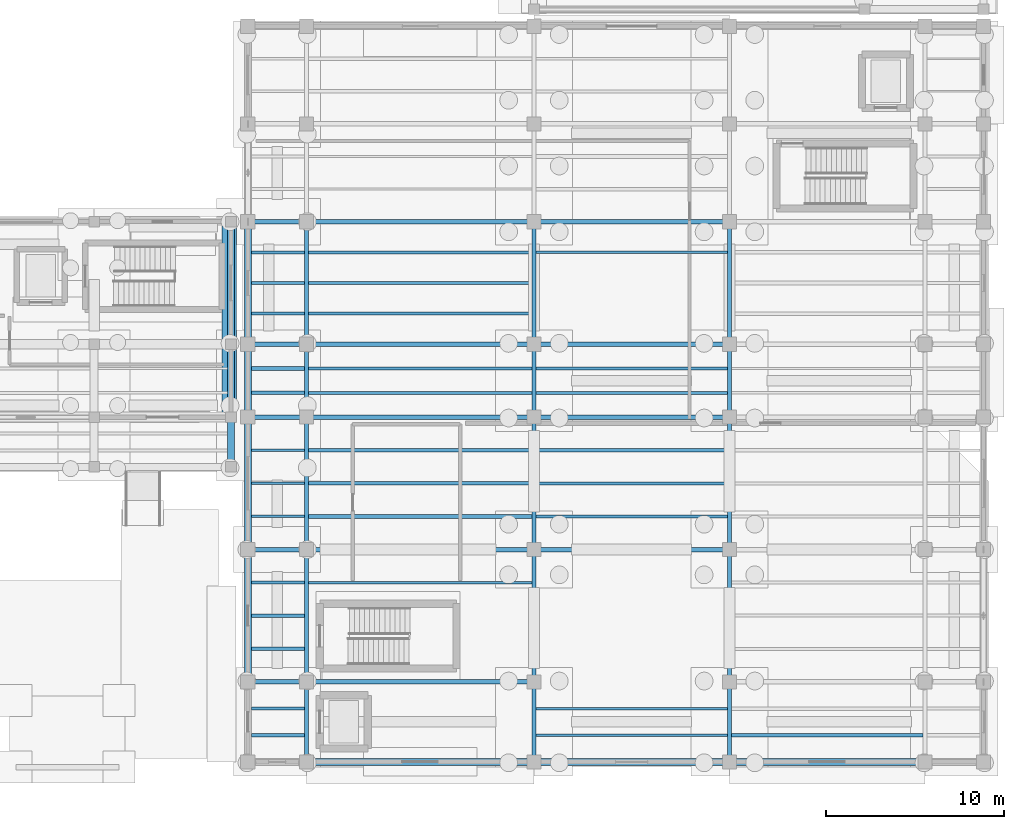
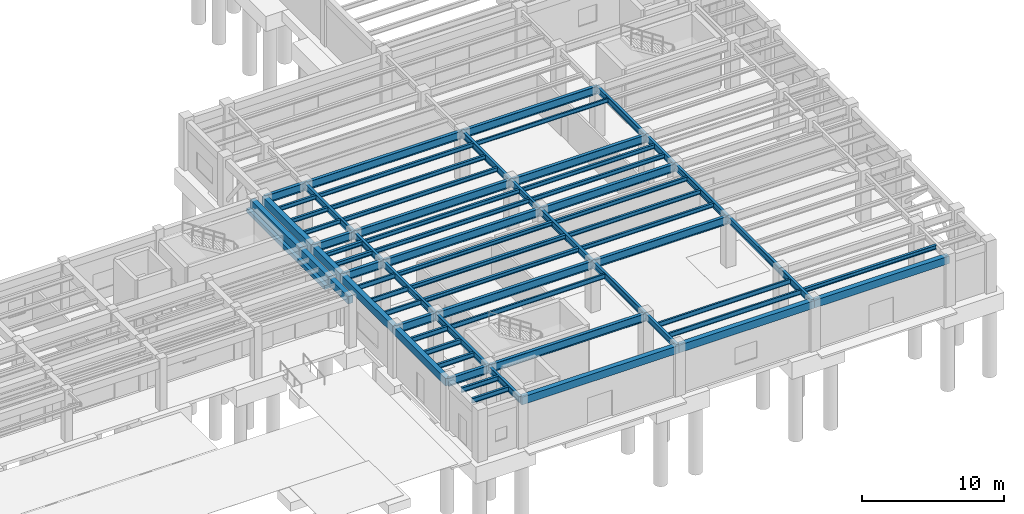
# One storey, part 14 of 41: 71 beams.
"""IFC4 building model written with IfcOpenShell, lengths in metres."""

from ifc_helpers import new_model, si_unit, direction, frame, origin, origin_2d, place, context, subcontext, project, spatial, rectangle, i_section, extrude, material, material_profile, profile_set, type_object, element, save


model = new_model("IFC4")

# Units and contexts
model_context = context("Model", 3, precision=1e-05, world=origin(), true_north=direction((0.0, 1.0)))
body_context = subcontext(model_context, "Body", "Model", "MODEL_VIEW")
ifc_project = project(units=[si_unit("LENGTHUNIT", "METRE"), si_unit("AREAUNIT", "SQUARE_METRE"), si_unit("VOLUMEUNIT", "CUBIC_METRE"), si_unit("PLANEANGLEUNIT", "RADIAN"), si_unit("MASSUNIT", "GRAM", prefix="KILO")], contexts=[model_context])

# Site, building, storey
site_placement = place(None, origin())
site = spatial("IfcSite", under=ifc_project, at=site_placement, CompositionType="ELEMENT")
building_placement = place(site_placement, origin())
building = spatial("IfcBuilding", under=site, at=building_placement, Name="Candilejo Ridge Gondola Terminal", CompositionType="ELEMENT")
storey_placement = place(building_placement, origin())
storey = spatial("IfcBuildingStorey", under=building, at=storey_placement, Name="L00", CompositionType="ELEMENT", Elevation=0.0)

# Beams
ifc_material_1 = material(Name="Steel ASTM A992 Grade 50", Category="steel")
ifc_material_profile_1 = material_profile(ifc_material_1, i_section(OverallWidth=0.2109375, OverallDepth=0.5390625, WebThickness=0.01171875, FlangeThickness=0.018798828125, at=origin_2d()))
ifc_profile_set_1 = profile_set([ifc_material_profile_1], Name="Steel ASTM A992 Grade 50")
beam_type_1 = type_object("IfcBeamType", Name="STR-BM-W530X109", PredefinedType="BEAM", material=ifc_profile_set_1)
beam_1_placement = place(storey_placement, frame((137.199951171875, 6.300048828125, 3.945556640625), z_axis=(0.0, 1.0, 0.0), x_axis=(-1.0, 0.0, 0.0)))
element("IfcBeam", 1, at=beam_1_placement, inside=storey, type_object=beam_type_1, Name="Beam Y V4 L00 Y01-Y02@X22", PredefinedType="BEAM", context=body_context, shape_type="SweptSolid", body=[
    extrude(i_section(OverallWidth=0.2109375, OverallDepth=0.5390625, WebThickness=0.01171875, FlangeThickness=0.018798828125, at=origin_2d()), origin(), (0.0, 0.0, 1.0), 4.5),
])
for number, where, z_axis, x_axis, name in (
    (2, (137.199951171875, 10.800048828125, 3.945556640625), (0.0, 1.0, 0.0), (-1.0, 0.0, 0.0), "Beam Y V4 L00 Y02-Y03@X22"),
    (3, (137.199951171875, 18.25, 3.945556640625), (0.0, 1.0, 0.0), (-1.0, 0.0, 0.0), "Beam Y V4 L00 Y03-Y05@X22"),
):
    element("IfcBeam", number, at=place(storey_placement, frame(where, z_axis=z_axis, x_axis=x_axis)), inside=storey, type_object=beam_type_1, Name=name, PredefinedType="BEAM", context=body_context, shape_type="SweptSolid", body=[
        extrude(i_section(OverallWidth=0.2109375, OverallDepth=0.5390625, WebThickness=0.01171875, FlangeThickness=0.018798828125, at=origin_2d()), origin(), (0.0, 0.0, 1.0), 7.449951171875),
    ])
beam_2_placement = place(storey_placement, frame((137.199951171875, 25.699951171875, 3.945556640625), z_axis=(0.0, 1.0, 0.0), x_axis=(-1.0, 0.0, 0.0)))
element("IfcBeam", 4, at=beam_2_placement, inside=storey, type_object=beam_type_1, Name="Beam Y V4 L00 Y05-Y06@X22", PredefinedType="BEAM", context=body_context, shape_type="SweptSolid", body=[
    extrude(i_section(OverallWidth=0.2109375, OverallDepth=0.5390625, WebThickness=0.01171875, FlangeThickness=0.018798828125, at=origin_2d()), origin(), (0.0, 0.0, 1.0), 4.10009765625),
])
beam_3_placement = place(storey_placement, frame((137.199951171875, 29.800048828125, 3.945556640625), z_axis=(0.0, 1.0, 0.0), x_axis=(-1.0, 0.0, 0.0)))
element("IfcBeam", 5, at=beam_3_placement, inside=storey, type_object=beam_type_1, Name="Beam Y V4 L00 Y06-Y07@X22", PredefinedType="BEAM", context=body_context, shape_type="SweptSolid", body=[
    extrude(i_section(OverallWidth=0.2109375, OverallDepth=0.5390625, WebThickness=0.01171875, FlangeThickness=0.018798828125, at=origin_2d()), origin(), (0.0, 0.0, 1.0), 6.89990234375),
])
beam_4_placement = place(storey_placement, frame((150.0, 6.300048828125, 3.945556640625), z_axis=(0.0, 1.0, 0.0), x_axis=(-1.0, 0.0, 0.0)))
element("IfcBeam", 6, at=beam_4_placement, inside=storey, type_object=beam_type_1, Name="Beam Y V4 L00 Y01-Y02@X23", PredefinedType="BEAM", context=body_context, shape_type="SweptSolid", body=[
    extrude(i_section(OverallWidth=0.2109375, OverallDepth=0.5390625, WebThickness=0.01171875, FlangeThickness=0.018798828125, at=origin_2d()), origin(), (0.0, 0.0, 1.0), 4.5),
])
for number, where, z_axis, x_axis, name in (
    (7, (150.0, 10.800048828125, 3.945556640625), (0.0, 1.0, 0.0), (-1.0, 0.0, 0.0), "Beam Y V4 L00 Y02-Y03@X23"),
    (8, (150.0, 18.25, 3.945556640625), (0.0, 1.0, 0.0), (-1.0, 0.0, 0.0), "Beam Y V4 L00 Y03-Y05@X23"),
):
    element("IfcBeam", number, at=place(storey_placement, frame(where, z_axis=z_axis, x_axis=x_axis)), inside=storey, type_object=beam_type_1, Name=name, PredefinedType="BEAM", context=body_context, shape_type="SweptSolid", body=[
        extrude(i_section(OverallWidth=0.2109375, OverallDepth=0.5390625, WebThickness=0.01171875, FlangeThickness=0.018798828125, at=origin_2d()), origin(), (0.0, 0.0, 1.0), 7.449951171875),
    ])
beam_5_placement = place(storey_placement, frame((150.0, 25.699951171875, 3.945556640625), z_axis=(0.0, 1.0, 0.0), x_axis=(-1.0, 0.0, 0.0)))
element("IfcBeam", 9, at=beam_5_placement, inside=storey, type_object=beam_type_1, Name="Beam Y V4 L00 Y05-Y06@X23", PredefinedType="BEAM", context=body_context, shape_type="SweptSolid", body=[
    extrude(i_section(OverallWidth=0.2109375, OverallDepth=0.5390625, WebThickness=0.01171875, FlangeThickness=0.018798828125, at=origin_2d()), origin(), (0.0, 0.0, 1.0), 4.10009765625),
])
beam_6_placement = place(storey_placement, frame((150.0, 29.800048828125, 3.945556640625), z_axis=(0.0, 1.0, 0.0), x_axis=(-1.0, 0.0, 0.0)))
element("IfcBeam", 10, at=beam_6_placement, inside=storey, type_object=beam_type_1, Name="Beam Y V4 L00 Y06-Y07@X23", PredefinedType="BEAM", context=body_context, shape_type="SweptSolid", body=[
    extrude(i_section(OverallWidth=0.2109375, OverallDepth=0.5390625, WebThickness=0.01171875, FlangeThickness=0.018798828125, at=origin_2d()), origin(), (0.0, 0.0, 1.0), 6.89990234375),
])
beam_7_placement = place(storey_placement, frame((161.0, 6.300048828125, 3.945556640625), z_axis=(0.0, 1.0, 0.0), x_axis=(-1.0, 0.0, 0.0)))
element("IfcBeam", 11, at=beam_7_placement, inside=storey, type_object=beam_type_1, Name="Beam Y V4 L00 Y01-Y02@X24", PredefinedType="BEAM", context=body_context, shape_type="SweptSolid", body=[
    extrude(i_section(OverallWidth=0.2109375, OverallDepth=0.5390625, WebThickness=0.01171875, FlangeThickness=0.018798828125, at=origin_2d()), origin(), (0.0, 0.0, 1.0), 4.5),
])
for number, where, z_axis, x_axis, name in (
    (12, (161.0, 10.800048828125, 3.945556640625), (0.0, 1.0, 0.0), (-1.0, 0.0, 0.0), "Beam Y V4 L00 Y02-Y03@X24"),
    (13, (161.0, 18.25, 3.945556640625), (0.0, 1.0, 0.0), (-1.0, 0.0, 0.0), "Beam Y V4 L00 Y03-Y05@X24"),
):
    element("IfcBeam", number, at=place(storey_placement, frame(where, z_axis=z_axis, x_axis=x_axis)), inside=storey, type_object=beam_type_1, Name=name, PredefinedType="BEAM", context=body_context, shape_type="SweptSolid", body=[
        extrude(i_section(OverallWidth=0.2109375, OverallDepth=0.5390625, WebThickness=0.01171875, FlangeThickness=0.018798828125, at=origin_2d()), origin(), (0.0, 0.0, 1.0), 7.449951171875),
    ])
beam_8_placement = place(storey_placement, frame((161.0, 25.699951171875, 3.945556640625), z_axis=(0.0, 1.0, 0.0), x_axis=(-1.0, 0.0, 0.0)))
element("IfcBeam", 14, at=beam_8_placement, inside=storey, type_object=beam_type_1, Name="Beam Y V4 L00 Y05-Y06@X24", PredefinedType="BEAM", context=body_context, shape_type="SweptSolid", body=[
    extrude(i_section(OverallWidth=0.2109375, OverallDepth=0.5390625, WebThickness=0.01171875, FlangeThickness=0.018798828125, at=origin_2d()), origin(), (0.0, 0.0, 1.0), 4.10009765625),
])
beam_9_placement = place(storey_placement, frame((161.0, 29.800048828125, 3.945556640625), z_axis=(0.0, 1.0, 0.0), x_axis=(-1.0, 0.0, 0.0)))
element("IfcBeam", 15, at=beam_9_placement, inside=storey, type_object=beam_type_1, Name="Beam Y V4 L00 Y06-Y07@X24", PredefinedType="BEAM", context=body_context, shape_type="SweptSolid", body=[
    extrude(i_section(OverallWidth=0.2109375, OverallDepth=0.5390625, WebThickness=0.01171875, FlangeThickness=0.018798828125, at=origin_2d()), origin(), (0.0, 0.0, 1.0), 6.89990234375),
])
ifc_material_2 = material(Name="Steel ASTM A992 Grade 50", Category="steel")
ifc_material_profile_2 = material_profile(ifc_material_2, i_section(OverallWidth=0.25390625, OverallDepth=0.68408203125, WebThickness=0.012451171875, FlangeThickness=0.018798828125, at=origin_2d()))
ifc_profile_set_2 = profile_set([ifc_material_profile_2], Name="Steel ASTM A992 Grade 50")
beam_type_2 = type_object("IfcBeamType", Name="STR-BM-W690X140", PredefinedType="BEAM", material=ifc_profile_set_2)
beam_10_placement = place(storey_placement, frame((133.89990234375, 10.800048828125, 3.873046875), z_axis=(1.0, 0.0, 0.0), x_axis=(0.0, 1.0, 0.0)))
element("IfcBeam", 16, at=beam_10_placement, inside=storey, type_object=beam_type_2, Name="Beam X V4 L00 X21-X22@Y02", PredefinedType="BEAM", context=body_context, shape_type="SweptSolid", body=[
    extrude(i_section(OverallWidth=0.25390625, OverallDepth=0.68408203125, WebThickness=0.012451171875, FlangeThickness=0.018798828125, at=origin_2d()), origin(), (0.0, 0.0, 1.0), 3.300048828125),
])
beam_11_placement = place(storey_placement, frame((137.199951171875, 10.800048828125, 3.873046875), z_axis=(1.0, 0.0, 0.0), x_axis=(0.0, 1.0, 0.0)))
element("IfcBeam", 17, at=beam_11_placement, inside=storey, type_object=beam_type_2, Name="Beam X V4 L00 X22-X23@Y02", PredefinedType="BEAM", context=body_context, shape_type="SweptSolid", body=[
    extrude(i_section(OverallWidth=0.25390625, OverallDepth=0.68408203125, WebThickness=0.012451171875, FlangeThickness=0.018798828125, at=origin_2d()), origin(), (0.0, 0.0, 1.0), 12.800048828125),
])
beam_12_placement = place(storey_placement, frame((133.89990234375, 18.25, 3.873046875), z_axis=(1.0, 0.0, 0.0), x_axis=(0.0, 1.0, 0.0)))
element("IfcBeam", 18, at=beam_12_placement, inside=storey, type_object=beam_type_2, Name="Beam X V4 L00 X21-X22@Y03", PredefinedType="BEAM", context=body_context, shape_type="SweptSolid", body=[
    extrude(i_section(OverallWidth=0.25390625, OverallDepth=0.68408203125, WebThickness=0.012451171875, FlangeThickness=0.018798828125, at=origin_2d()), origin(), (0.0, 0.0, 1.0), 3.300048828125),
])
beam_13_placement = place(storey_placement, frame((137.199951171875, 18.25, 3.873046875), z_axis=(1.0, 0.0, 0.0), x_axis=(0.0, 1.0, 0.0)))
element("IfcBeam", 19, at=beam_13_placement, inside=storey, type_object=beam_type_2, Name="Beam X V4 L00 X22-X23@Y03", PredefinedType="BEAM", context=body_context, shape_type="SweptSolid", body=[
    extrude(i_section(OverallWidth=0.25390625, OverallDepth=0.68408203125, WebThickness=0.012451171875, FlangeThickness=0.018798828125, at=origin_2d()), origin(), (0.0, 0.0, 1.0), 12.800048828125),
])
beam_14_placement = place(storey_placement, frame((150.0, 18.25, 3.873046875), z_axis=(1.0, 0.0, 0.0), x_axis=(0.0, 1.0, 0.0)))
element("IfcBeam", 20, at=beam_14_placement, inside=storey, type_object=beam_type_2, Name="Beam X V4 L00 X23-X24@Y03", PredefinedType="BEAM", context=body_context, shape_type="SweptSolid", body=[
    extrude(i_section(OverallWidth=0.25390625, OverallDepth=0.68408203125, WebThickness=0.012451171875, FlangeThickness=0.018798828125, at=origin_2d()), origin(), (0.0, 0.0, 1.0), 11.0),
])
beam_15_placement = place(storey_placement, frame((133.89990234375, 25.699951171875, 3.873046875), z_axis=(1.0, 0.0, 0.0), x_axis=(0.0, 1.0, 0.0)))
element("IfcBeam", 21, at=beam_15_placement, inside=storey, type_object=beam_type_2, Name="Beam X V4 L00 X21-X22@Y05", PredefinedType="BEAM", context=body_context, shape_type="SweptSolid", body=[
    extrude(i_section(OverallWidth=0.25390625, OverallDepth=0.68408203125, WebThickness=0.012451171875, FlangeThickness=0.018798828125, at=origin_2d()), origin(), (0.0, 0.0, 1.0), 3.300048828125),
])
beam_16_placement = place(storey_placement, frame((137.199951171875, 25.699951171875, 3.873046875), z_axis=(1.0, 0.0, 0.0), x_axis=(0.0, 1.0, 0.0)))
element("IfcBeam", 22, at=beam_16_placement, inside=storey, type_object=beam_type_2, Name="Beam X V4 L00 X22-X23@Y05", PredefinedType="BEAM", context=body_context, shape_type="SweptSolid", body=[
    extrude(i_section(OverallWidth=0.25390625, OverallDepth=0.68408203125, WebThickness=0.012451171875, FlangeThickness=0.018798828125, at=origin_2d()), origin(), (0.0, 0.0, 1.0), 12.800048828125),
])
beam_17_placement = place(storey_placement, frame((150.0, 25.699951171875, 3.873046875), z_axis=(1.0, 0.0, 0.0), x_axis=(0.0, 1.0, 0.0)))
element("IfcBeam", 23, at=beam_17_placement, inside=storey, type_object=beam_type_2, Name="Beam X V4 L00 X23-X24@Y05", PredefinedType="BEAM", context=body_context, shape_type="SweptSolid", body=[
    extrude(i_section(OverallWidth=0.25390625, OverallDepth=0.68408203125, WebThickness=0.012451171875, FlangeThickness=0.018798828125, at=origin_2d()), origin(), (0.0, 0.0, 1.0), 11.0),
])
beam_18_placement = place(storey_placement, frame((133.89990234375, 29.800048828125, 3.873046875), z_axis=(1.0, 0.0, 0.0), x_axis=(0.0, 1.0, 0.0)))
element("IfcBeam", 24, at=beam_18_placement, inside=storey, type_object=beam_type_2, Name="Beam X V4 L00 X21-X22@Y06", PredefinedType="BEAM", context=body_context, shape_type="SweptSolid", body=[
    extrude(i_section(OverallWidth=0.25390625, OverallDepth=0.68408203125, WebThickness=0.012451171875, FlangeThickness=0.018798828125, at=origin_2d()), origin(), (0.0, 0.0, 1.0), 3.300048828125),
])
beam_19_placement = place(storey_placement, frame((137.199951171875, 29.800048828125, 3.873046875), z_axis=(1.0, 0.0, 0.0), x_axis=(0.0, 1.0, 0.0)))
element("IfcBeam", 25, at=beam_19_placement, inside=storey, type_object=beam_type_2, Name="Beam X V4 L00 X22-X23@Y06", PredefinedType="BEAM", context=body_context, shape_type="SweptSolid", body=[
    extrude(i_section(OverallWidth=0.25390625, OverallDepth=0.68408203125, WebThickness=0.012451171875, FlangeThickness=0.018798828125, at=origin_2d()), origin(), (0.0, 0.0, 1.0), 12.800048828125),
])
beam_20_placement = place(storey_placement, frame((150.0, 29.800048828125, 3.873046875), z_axis=(1.0, 0.0, 0.0), x_axis=(0.0, 1.0, 0.0)))
element("IfcBeam", 26, at=beam_20_placement, inside=storey, type_object=beam_type_2, Name="Beam X V4 L00 X23-X24@Y06", PredefinedType="BEAM", context=body_context, shape_type="SweptSolid", body=[
    extrude(i_section(OverallWidth=0.25390625, OverallDepth=0.68408203125, WebThickness=0.012451171875, FlangeThickness=0.018798828125, at=origin_2d()), origin(), (0.0, 0.0, 1.0), 11.0),
])
beam_21_placement = place(storey_placement, frame((133.89990234375, 36.699951171875, 3.873046875), z_axis=(1.0, 0.0, 0.0), x_axis=(0.0, 1.0, 0.0)))
element("IfcBeam", 27, at=beam_21_placement, inside=storey, type_object=beam_type_2, Name="Beam X V4 L00 X21-X22@Y07", PredefinedType="BEAM", context=body_context, shape_type="SweptSolid", body=[
    extrude(i_section(OverallWidth=0.25390625, OverallDepth=0.68408203125, WebThickness=0.012451171875, FlangeThickness=0.018798828125, at=origin_2d()), origin(), (0.0, 0.0, 1.0), 3.300048828125),
])
beam_22_placement = place(storey_placement, frame((137.199951171875, 36.699951171875, 3.873046875), z_axis=(1.0, 0.0, 0.0), x_axis=(0.0, 1.0, 0.0)))
element("IfcBeam", 28, at=beam_22_placement, inside=storey, type_object=beam_type_2, Name="Beam X V4 L00 X22-X23@Y07", PredefinedType="BEAM", context=body_context, shape_type="SweptSolid", body=[
    extrude(i_section(OverallWidth=0.25390625, OverallDepth=0.68408203125, WebThickness=0.012451171875, FlangeThickness=0.018798828125, at=origin_2d()), origin(), (0.0, 0.0, 1.0), 12.800048828125),
])
beam_23_placement = place(storey_placement, frame((150.0, 36.699951171875, 3.873046875), z_axis=(1.0, 0.0, 0.0), x_axis=(0.0, 1.0, 0.0)))
element("IfcBeam", 29, at=beam_23_placement, inside=storey, type_object=beam_type_2, Name="Beam X V4 L00 X23-X24@Y07", PredefinedType="BEAM", context=body_context, shape_type="SweptSolid", body=[
    extrude(i_section(OverallWidth=0.25390625, OverallDepth=0.68408203125, WebThickness=0.012451171875, FlangeThickness=0.018798828125, at=origin_2d()), origin(), (0.0, 0.0, 1.0), 11.0),
])
ifc_material_3 = material(Name="Concrete f'c 35 MPa (C35/45)", Category="concrete")
ifc_material_profile_3 = material_profile(ifc_material_3, rectangle(XDim=0.800048828125, YDim=0.35009765625, at=origin_2d()))
ifc_profile_set_3 = profile_set([ifc_material_profile_3], Name="Concrete f'c 35 MPa (C35/45)")
beam_type_3 = type_object("IfcBeamType", Name="STR-CRB-RC800X350", PredefinedType="SPANDREL", material=ifc_profile_set_3)
beam_24_placement = place(storey_placement, frame((132.85009765625, 25.699951171875, 3.43505859375), z_axis=(0.0, 1.0, 0.0), x_axis=(-1.0, 0.0, 0.0)))
element("IfcBeam", 30, at=beam_24_placement, inside=storey, type_object=beam_type_3, Name="Seismic bridge 800 mm RC corbel seat LB-SJ3-L01", PredefinedType="SPANDREL", context=body_context, shape_type="SweptSolid", body=[
    extrude(rectangle(XDim=0.800048828125, YDim=0.35009765625, at=origin_2d()), origin(), (0.0, 0.0, 1.0), 11.0),
])
ifc_material_4 = material(Name="Steel ASTM A992 Grade 50", Category="steel")
ifc_material_profile_4 = material_profile(ifc_material_4, i_section(OverallWidth=0.1279296875, OverallDepth=0.35302734375, WebThickness=0.006591796875, FlangeThickness=0.0107421875, at=origin_2d()))
ifc_profile_set_4 = profile_set([ifc_material_profile_4], Name="Steel ASTM A992 Grade 50")
beam_type_4 = type_object("IfcBeamType", Name="STR-JST-W360X39", PredefinedType="JOIST", material=ifc_profile_set_4)
beam_25_placement = place(storey_placement, frame((150.10546875, 34.97509765625, 4.03857421875), z_axis=(1.0, 0.0, 0.0), x_axis=(0.0, 1.0, 0.0)))
element("IfcBeam", 31, at=beam_25_placement, inside=storey, type_object=beam_type_4, Name="Composite joist V4 L00-0783", PredefinedType="JOIST", context=body_context, shape_type="SweptSolid", body=[
    extrude(i_section(OverallWidth=0.1279296875, OverallDepth=0.35302734375, WebThickness=0.006591796875, FlangeThickness=0.0107421875, at=origin_2d()), origin(), (0.0, 0.0, 1.0), 10.7890625),
])
ifc_material_5 = material(Name="Steel ASTM A992 Grade 50", Category="steel")
ifc_material_profile_5 = material_profile(ifc_material_5, i_section(OverallWidth=0.1708984375, OverallDepth=0.35205078125, WebThickness=0.0068359375, FlangeThickness=0.009765625, at=origin_2d()))
ifc_profile_set_5 = profile_set([ifc_material_profile_5], Name="Steel ASTM A992 Grade 50")
beam_type_5 = type_object("IfcBeamType", Name="STR-JST-W360X44", PredefinedType="JOIST", material=ifc_profile_set_5)
for number, where, z_axis, x_axis, name in (
    (32, (137.305419921875, 31.52490234375, 4.0390625), (1.0, 0.0, 0.0), (0.0, 1.0, 0.0), "Composite joist V4 L00-0769"),
    (33, (137.305419921875, 33.25, 4.0390625), (1.0, 0.0, 0.0), (0.0, 1.0, 0.0), "Composite joist V4 L00-0770"),
    (34, (137.305419921875, 34.97509765625, 4.0390625), (1.0, 0.0, 0.0), (0.0, 1.0, 0.0), "Composite joist V4 L00-0771"),
):
    element("IfcBeam", number, at=place(storey_placement, frame(where, z_axis=z_axis, x_axis=x_axis)), inside=storey, type_object=beam_type_5, Name=name, PredefinedType="JOIST", context=body_context, shape_type="SweptSolid", body=[
        extrude(i_section(OverallWidth=0.1708984375, OverallDepth=0.35205078125, WebThickness=0.0068359375, FlangeThickness=0.009765625, at=origin_2d()), origin(), (0.0, 0.0, 1.0), 12.589111328125),
    ])
for number, where, z_axis, x_axis, name in (
    (35, (150.10546875, 27.066650390625, 4.0390625), (1.0, 0.0, 0.0), (0.0, 1.0, 0.0), "Composite joist V4 L00-0781"),
    (36, (150.10546875, 28.433349609375, 4.0390625), (1.0, 0.0, 0.0), (0.0, 1.0, 0.0), "Composite joist V4 L00-0782"),
):
    element("IfcBeam", number, at=place(storey_placement, frame(where, z_axis=z_axis, x_axis=x_axis)), inside=storey, type_object=beam_type_5, Name=name, PredefinedType="JOIST", context=body_context, shape_type="SweptSolid", body=[
        extrude(i_section(OverallWidth=0.1708984375, OverallDepth=0.35205078125, WebThickness=0.0068359375, FlangeThickness=0.009765625, at=origin_2d()), origin(), (0.0, 0.0, 1.0), 10.7890625),
    ])
ifc_material_6 = material(Name="Steel ASTM A992 Grade 50", Category="steel")
ifc_material_profile_6 = material_profile(ifc_material_6, i_section(OverallWidth=0.1708984375, OverallDepth=0.35498046875, WebThickness=0.007080078125, FlangeThickness=0.01171875, at=origin_2d()))
ifc_profile_set_6 = profile_set([ifc_material_profile_6], Name="Steel ASTM A992 Grade 50")
beam_type_6 = type_object("IfcBeamType", Name="STR-JST-W360X51", PredefinedType="JOIST", material=ifc_profile_set_6)
for number, where, z_axis, x_axis, name in (
    (37, (134.10009765625, 31.52490234375, 4.03759765625), (1.0, 0.0, 0.0), (0.0, 1.0, 0.0), "Composite joist V4 L00-0756"),
    (38, (134.10009765625, 33.25, 4.03759765625), (1.0, 0.0, 0.0), (0.0, 1.0, 0.0), "Composite joist V4 L00-0757"),
    (39, (134.10009765625, 34.97509765625, 4.03759765625), (1.0, 0.0, 0.0), (0.0, 1.0, 0.0), "Composite joist V4 L00-0758"),
):
    element("IfcBeam", number, at=place(storey_placement, frame(where, z_axis=z_axis, x_axis=x_axis)), inside=storey, type_object=beam_type_6, Name=name, PredefinedType="JOIST", context=body_context, shape_type="SweptSolid", body=[
        extrude(i_section(OverallWidth=0.1708984375, OverallDepth=0.35498046875, WebThickness=0.007080078125, FlangeThickness=0.01171875, at=origin_2d()), origin(), (0.0, 0.0, 1.0), 2.994384765625),
    ])
for number, where, z_axis, x_axis, name in (
    (40, (137.305419921875, 27.066650390625, 4.03759765625), (1.0, 0.0, 0.0), (0.0, 1.0, 0.0), "Composite joist V4 L00-0767"),
    (41, (137.305419921875, 28.433349609375, 4.03759765625), (1.0, 0.0, 0.0), (0.0, 1.0, 0.0), "Composite joist V4 L00-0768"),
):
    element("IfcBeam", number, at=place(storey_placement, frame(where, z_axis=z_axis, x_axis=x_axis)), inside=storey, type_object=beam_type_6, Name=name, PredefinedType="JOIST", context=body_context, shape_type="SweptSolid", body=[
        extrude(i_section(OverallWidth=0.1708984375, OverallDepth=0.35498046875, WebThickness=0.007080078125, FlangeThickness=0.01171875, at=origin_2d()), origin(), (0.0, 0.0, 1.0), 12.589111328125),
    ])
for number, where, z_axis, x_axis, name in (
    (42, (150.10546875, 20.112548828125, 4.03759765625), (1.0, 0.0, 0.0), (0.0, 1.0, 0.0), "Composite joist V4 L00-0778"),
    (43, (150.10546875, 21.97509765625, 4.03759765625), (1.0, 0.0, 0.0), (0.0, 1.0, 0.0), "Composite joist V4 L00-0779"),
    (44, (150.10546875, 23.83740234375, 4.03759765625), (1.0, 0.0, 0.0), (0.0, 1.0, 0.0), "Composite joist V4 L00-0780"),
):
    element("IfcBeam", number, at=place(storey_placement, frame(where, z_axis=z_axis, x_axis=x_axis)), inside=storey, type_object=beam_type_6, Name=name, PredefinedType="JOIST", context=body_context, shape_type="SweptSolid", body=[
        extrude(i_section(OverallWidth=0.1708984375, OverallDepth=0.35498046875, WebThickness=0.007080078125, FlangeThickness=0.01171875, at=origin_2d()), origin(), (0.0, 0.0, 1.0), 10.7890625),
    ])
ifc_material_7 = material(Name="Steel ASTM A992 Grade 50", Category="steel")
ifc_material_profile_7 = material_profile(ifc_material_7, i_section(OverallWidth=0.205078125, OverallDepth=0.35400390625, WebThickness=0.009521484375, FlangeThickness=0.016845703125, at=origin_2d()))
ifc_profile_set_7 = profile_set([ifc_material_profile_7], Name="Steel ASTM A992 Grade 50")
beam_type_7 = type_object("IfcBeamType", Name="STR-JST-W360X79", PredefinedType="JOIST", material=ifc_profile_set_7)
for number, where, z_axis, x_axis, name in (
    (45, (134.10009765625, 27.066650390625, 4.0380859375), (1.0, 0.0, 0.0), (0.0, 1.0, 0.0), "Composite joist V4 L00-0754"),
    (46, (134.10009765625, 28.433349609375, 4.0380859375), (1.0, 0.0, 0.0), (0.0, 1.0, 0.0), "Composite joist V4 L00-0755"),
):
    element("IfcBeam", number, at=place(storey_placement, frame(where, z_axis=z_axis, x_axis=x_axis)), inside=storey, type_object=beam_type_7, Name=name, PredefinedType="JOIST", context=body_context, shape_type="SweptSolid", body=[
        extrude(i_section(OverallWidth=0.205078125, OverallDepth=0.35400390625, WebThickness=0.009521484375, FlangeThickness=0.016845703125, at=origin_2d()), origin(), (0.0, 0.0, 1.0), 2.994384765625),
    ])
for number, where, z_axis, x_axis, name in (
    (47, (137.305419921875, 20.112548828125, 4.0380859375), (1.0, 0.0, 0.0), (0.0, 1.0, 0.0), "Composite joist V4 L00-0764"),
    (48, (137.305419921875, 21.97509765625, 4.0380859375), (1.0, 0.0, 0.0), (0.0, 1.0, 0.0), "Composite joist V4 L00-0765"),
    (49, (137.305419921875, 23.83740234375, 4.0380859375), (1.0, 0.0, 0.0), (0.0, 1.0, 0.0), "Composite joist V4 L00-0766"),
):
    element("IfcBeam", number, at=place(storey_placement, frame(where, z_axis=z_axis, x_axis=x_axis)), inside=storey, type_object=beam_type_7, Name=name, PredefinedType="JOIST", context=body_context, shape_type="SweptSolid", body=[
        extrude(i_section(OverallWidth=0.205078125, OverallDepth=0.35400390625, WebThickness=0.009521484375, FlangeThickness=0.016845703125, at=origin_2d()), origin(), (0.0, 0.0, 1.0), 12.589111328125),
    ])
beam_26_placement = place(storey_placement, frame((161.10546875, 7.800048828125, 4.0380859375), z_axis=(1.0, 0.0, 0.0), x_axis=(0.0, 1.0, 0.0)))
element("IfcBeam", 50, at=beam_26_placement, inside=storey, type_object=beam_type_7, Name="Composite joist V4 L00-0788", PredefinedType="JOIST", context=body_context, shape_type="SweptSolid", body=[
    extrude(i_section(OverallWidth=0.205078125, OverallDepth=0.35400390625, WebThickness=0.009521484375, FlangeThickness=0.016845703125, at=origin_2d()), origin(), (0.0, 0.0, 1.0), 10.7890625),
])
ifc_material_8 = material(Name="Steel ASTM A992 Grade 50", Category="steel")
ifc_material_profile_8 = material_profile(ifc_material_8, i_section(OverallWidth=0.139892578125, OverallDepth=0.403076171875, WebThickness=0.007080078125, FlangeThickness=0.01123046875, at=origin_2d()))
ifc_profile_set_8 = profile_set([ifc_material_profile_8], Name="Steel ASTM A992 Grade 50")
beam_type_8 = type_object("IfcBeamType", Name="STR-JST-W410X46", PredefinedType="JOIST", material=ifc_profile_set_8)
for number, where, z_axis, x_axis, name in (
    (51, (134.10009765625, 20.112548828125, 4.013427734375), (1.0, 0.0, 0.0), (0.0, 1.0, 0.0), "Composite joist V4 L00-0751"),
    (52, (134.10009765625, 21.97509765625, 4.013427734375), (1.0, 0.0, 0.0), (0.0, 1.0, 0.0), "Composite joist V4 L00-0752"),
    (53, (134.10009765625, 23.83740234375, 4.013427734375), (1.0, 0.0, 0.0), (0.0, 1.0, 0.0), "Composite joist V4 L00-0753"),
):
    element("IfcBeam", number, at=place(storey_placement, frame(where, z_axis=z_axis, x_axis=x_axis)), inside=storey, type_object=beam_type_8, Name=name, PredefinedType="JOIST", context=body_context, shape_type="SweptSolid", body=[
        extrude(i_section(OverallWidth=0.139892578125, OverallDepth=0.403076171875, WebThickness=0.007080078125, FlangeThickness=0.01123046875, at=origin_2d()), origin(), (0.0, 0.0, 1.0), 2.994384765625),
    ])
beam_27_placement = place(storey_placement, frame((137.305419921875, 16.387451171875, 4.013427734375), z_axis=(1.0, 0.0, 0.0), x_axis=(0.0, 1.0, 0.0)))
element("IfcBeam", 54, at=beam_27_placement, inside=storey, type_object=beam_type_8, Name="Composite joist V4 L00-0763", PredefinedType="JOIST", context=body_context, shape_type="SweptSolid", body=[
    extrude(i_section(OverallWidth=0.139892578125, OverallDepth=0.403076171875, WebThickness=0.007080078125, FlangeThickness=0.01123046875, at=origin_2d()), origin(), (0.0, 0.0, 1.0), 12.589111328125),
])
for number, where, z_axis, x_axis, name in (
    (55, (150.10546875, 7.800048828125, 4.013427734375), (1.0, 0.0, 0.0), (0.0, 1.0, 0.0), "Composite joist V4 L00-0776"),
    (56, (150.10546875, 9.300048828125, 4.013427734375), (1.0, 0.0, 0.0), (0.0, 1.0, 0.0), "Composite joist V4 L00-0777"),
):
    element("IfcBeam", number, at=place(storey_placement, frame(where, z_axis=z_axis, x_axis=x_axis)), inside=storey, type_object=beam_type_8, Name=name, PredefinedType="JOIST", context=body_context, shape_type="SweptSolid", body=[
        extrude(i_section(OverallWidth=0.139892578125, OverallDepth=0.403076171875, WebThickness=0.007080078125, FlangeThickness=0.01123046875, at=origin_2d()), origin(), (0.0, 0.0, 1.0), 10.7890625),
    ])
ifc_material_9 = material(Name="Steel ASTM A992 Grade 50", Category="steel")
ifc_material_profile_9 = material_profile(ifc_material_9, i_section(OverallWidth=0.177978515625, OverallDepth=0.406982421875, WebThickness=0.0078125, FlangeThickness=0.0126953125, at=origin_2d()))
ifc_profile_set_9 = profile_set([ifc_material_profile_9], Name="Steel ASTM A992 Grade 50")
beam_type_9 = type_object("IfcBeamType", Name="STR-JST-W410X60", PredefinedType="JOIST", material=ifc_profile_set_9)
for number, where, z_axis, x_axis, name in (
    (57, (134.10009765625, 12.66259765625, 4.011474609375), (1.0, 0.0, 0.0), (0.0, 1.0, 0.0), "Composite joist V4 L00-0748"),
    (58, (134.10009765625, 14.52490234375, 4.011474609375), (1.0, 0.0, 0.0), (0.0, 1.0, 0.0), "Composite joist V4 L00-0749"),
    (59, (134.10009765625, 16.387451171875, 4.011474609375), (1.0, 0.0, 0.0), (0.0, 1.0, 0.0), "Composite joist V4 L00-0750"),
):
    element("IfcBeam", number, at=place(storey_placement, frame(where, z_axis=z_axis, x_axis=x_axis)), inside=storey, type_object=beam_type_9, Name=name, PredefinedType="JOIST", context=body_context, shape_type="SweptSolid", body=[
        extrude(i_section(OverallWidth=0.177978515625, OverallDepth=0.406982421875, WebThickness=0.0078125, FlangeThickness=0.0126953125, at=origin_2d()), origin(), (0.0, 0.0, 1.0), 2.994384765625),
    ])
ifc_material_10 = material(Name="Steel ASTM A992 Grade 50", Category="steel")
ifc_material_profile_10 = material_profile(ifc_material_10, i_section(OverallWidth=0.180908203125, OverallDepth=0.4169921875, WebThickness=0.010986328125, FlangeThickness=0.018310546875, at=origin_2d()))
ifc_profile_set_10 = profile_set([ifc_material_profile_10], Name="Steel ASTM A992 Grade 50")
beam_type_10 = type_object("IfcBeamType", Name="STR-JST-W410X85", PredefinedType="JOIST", material=ifc_profile_set_10)
for number, where, z_axis, x_axis, name in (
    (60, (134.10009765625, 7.800048828125, 4.006591796875), (1.0, 0.0, 0.0), (0.0, 1.0, 0.0), "Composite joist V4 L00-0746"),
    (61, (134.10009765625, 9.300048828125, 4.006591796875), (1.0, 0.0, 0.0), (0.0, 1.0, 0.0), "Composite joist V4 L00-0747"),
):
    element("IfcBeam", number, at=place(storey_placement, frame(where, z_axis=z_axis, x_axis=x_axis)), inside=storey, type_object=beam_type_10, Name=name, PredefinedType="JOIST", context=body_context, shape_type="SweptSolid", body=[
        extrude(i_section(OverallWidth=0.180908203125, OverallDepth=0.4169921875, WebThickness=0.010986328125, FlangeThickness=0.018310546875, at=origin_2d()), origin(), (0.0, 0.0, 1.0), 2.994384765625),
    ])
ifc_material_11 = material(Name="Concrete f'c 35 MPa (C35/45)", Category="concrete")
ifc_material_profile_11 = material_profile(ifc_material_11, rectangle(XDim=0.39990234375, YDim=0.64990234375, at=origin_2d()))
ifc_profile_set_11 = profile_set([ifc_material_profile_11], Name="Concrete f'c 35 MPa (C35/45)")
beam_type_11 = type_object("IfcBeamType", Name="STR-SPN-RC400X650", PredefinedType="SPANDREL", material=ifc_profile_set_11)
beam_28_placement = place(storey_placement, frame((132.949951171875, 22.89990234375, 3.93505859375), z_axis=(0.0, 1.0, 0.0), x_axis=(-1.0, 0.0, 0.0)))
element("IfcBeam", 62, at=beam_28_placement, inside=storey, type_object=beam_type_11, Name="Beam Y V3 L00 Y04-Y05@X20", PredefinedType="SPANDREL", context=body_context, shape_type="SweptSolid", body=[
    extrude(rectangle(XDim=0.39990234375, YDim=0.64990234375, at=origin_2d()), origin(), (0.0, 0.0, 1.0), 2.800048828125),
])
beam_29_placement = place(storey_placement, frame((132.949951171875, 25.699951171875, 3.93505859375), z_axis=(0.0, 1.0, 0.0), x_axis=(-1.0, 0.0, 0.0)))
element("IfcBeam", 63, at=beam_29_placement, inside=storey, type_object=beam_type_11, Name="Beam Y V3 L00 Y05-Y06@X20", PredefinedType="SPANDREL", context=body_context, shape_type="SweptSolid", body=[
    extrude(rectangle(XDim=0.39990234375, YDim=0.64990234375, at=origin_2d()), origin(), (0.0, 0.0, 1.0), 4.10009765625),
])
beam_30_placement = place(storey_placement, frame((132.949951171875, 29.800048828125, 3.93505859375), z_axis=(0.0, 1.0, 0.0), x_axis=(-1.0, 0.0, 0.0)))
element("IfcBeam", 64, at=beam_30_placement, inside=storey, type_object=beam_type_11, Name="Beam Y V3 L00 Y06-Y07@X20", PredefinedType="SPANDREL", context=body_context, shape_type="SweptSolid", body=[
    extrude(rectangle(XDim=0.39990234375, YDim=0.64990234375, at=origin_2d()), origin(), (0.0, 0.0, 1.0), 6.89990234375),
])
beam_31_placement = place(storey_placement, frame((137.199951171875, 6.300048828125, 3.889892578125), z_axis=(1.0, 0.0, 0.0), x_axis=(0.0, 1.0, 0.0)))
element("IfcBeam", 65, at=beam_31_placement, inside=storey, type_object=beam_type_11, Name="Beam X V4 L00 X22-X23@Y01", PredefinedType="SPANDREL", context=body_context, shape_type="SweptSolid", body=[
    extrude(rectangle(XDim=0.39990234375, YDim=0.64990234375, at=origin_2d()), origin(), (0.0, 0.0, 1.0), 12.800048828125),
])
for number, where, z_axis, x_axis, name in (
    (66, (150.0, 6.300048828125, 3.889892578125), (1.0, 0.0, 0.0), (0.0, 1.0, 0.0), "Beam X V4 L00 X23-X24@Y01"),
    (67, (161.0, 6.300048828125, 3.889892578125), (1.0, 0.0, 0.0), (0.0, 1.0, 0.0), "Beam X V4 L00 X24-X26@Y01"),
):
    element("IfcBeam", number, at=place(storey_placement, frame(where, z_axis=z_axis, x_axis=x_axis)), inside=storey, type_object=beam_type_11, Name=name, PredefinedType="SPANDREL", context=body_context, shape_type="SweptSolid", body=[
        extrude(rectangle(XDim=0.39990234375, YDim=0.64990234375, at=origin_2d()), origin(), (0.0, 0.0, 1.0), 11.0),
    ])
for number, where, z_axis, x_axis, name in (
    (68, (133.89990234375, 10.800048828125, 3.889892578125), (0.0, 1.0, 0.0), (-1.0, 0.0, 0.0), "Beam Y V4 L00 Y02-Y03@X21"),
    (69, (133.89990234375, 18.25, 3.889892578125), (0.0, 1.0, 0.0), (-1.0, 0.0, 0.0), "Beam Y V4 L00 Y03-Y05@X21"),
):
    element("IfcBeam", number, at=place(storey_placement, frame(where, z_axis=z_axis, x_axis=x_axis)), inside=storey, type_object=beam_type_11, Name=name, PredefinedType="SPANDREL", context=body_context, shape_type="SweptSolid", body=[
        extrude(rectangle(XDim=0.39990234375, YDim=0.64990234375, at=origin_2d()), origin(), (0.0, 0.0, 1.0), 7.449951171875),
    ])
beam_32_placement = place(storey_placement, frame((133.89990234375, 25.699951171875, 3.889892578125), z_axis=(0.0, 1.0, 0.0), x_axis=(-1.0, 0.0, 0.0)))
element("IfcBeam", 70, at=beam_32_placement, inside=storey, type_object=beam_type_11, Name="Beam Y V4 L00 Y05-Y06@X21", PredefinedType="SPANDREL", context=body_context, shape_type="SweptSolid", body=[
    extrude(rectangle(XDim=0.39990234375, YDim=0.64990234375, at=origin_2d()), origin(), (0.0, 0.0, 1.0), 4.10009765625),
])
beam_33_placement = place(storey_placement, frame((133.89990234375, 29.800048828125, 3.889892578125), z_axis=(0.0, 1.0, 0.0), x_axis=(-1.0, 0.0, 0.0)))
element("IfcBeam", 71, at=beam_33_placement, inside=storey, type_object=beam_type_11, Name="Beam Y V4 L00 Y06-Y07@X21", PredefinedType="SPANDREL", context=body_context, shape_type="SweptSolid", body=[
    extrude(rectangle(XDim=0.39990234375, YDim=0.64990234375, at=origin_2d()), origin(), (0.0, 0.0, 1.0), 6.89990234375),
])

save(model, "model.ifc")
